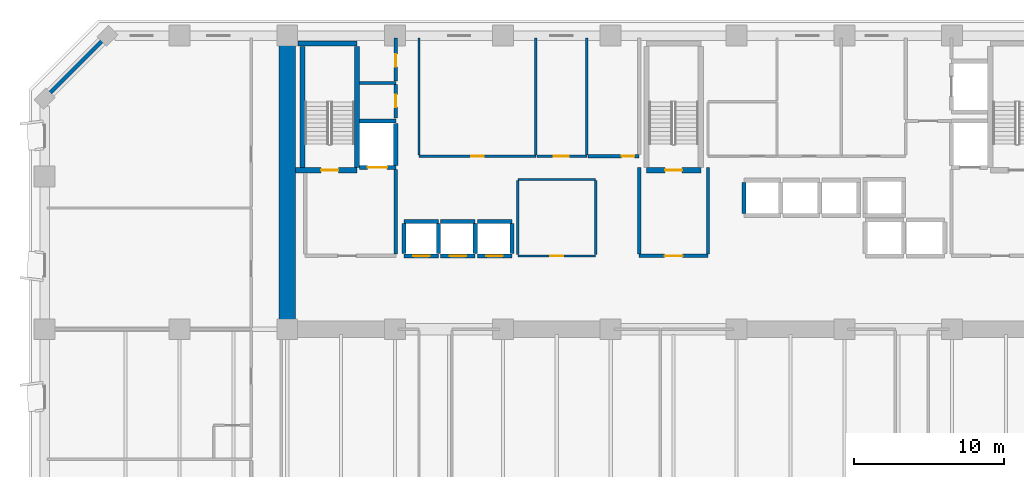
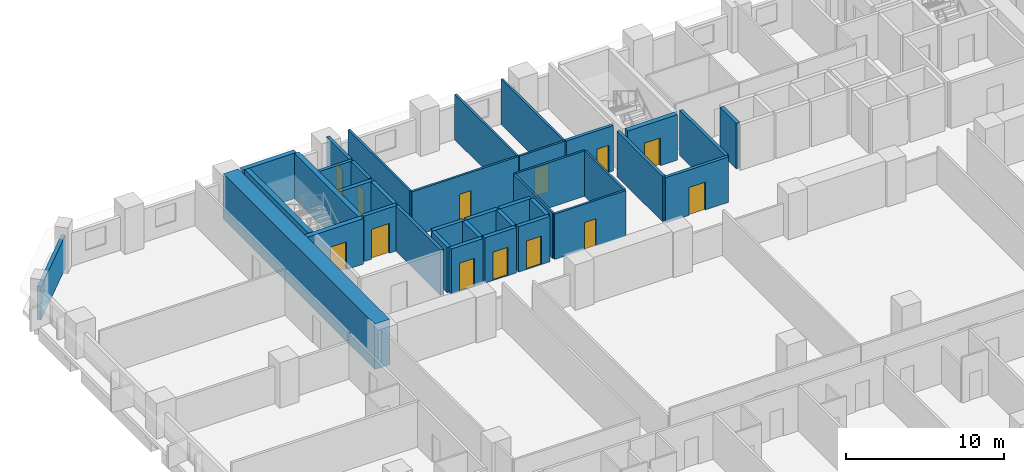
# One storey, part 7 of 15: 38 walls, 13 doors, 13 openings.
"""IFC4 building model written with IfcOpenShell, lengths in metres."""

from ifc_helpers import new_model, si_unit, direction, frame, frame_2d, origin, place, context, subcontext, project, spatial, rectangle, extrude, material, layer, layer_set, type_object, element, fill, save


model = new_model("IFC4")

# Units and contexts
model_context = context("Model", 3, precision=1e-05, world=origin(), true_north=direction((0.0, 1.0)))
body_context = subcontext(model_context, "Body", "Model", "MODEL_VIEW")
ifc_project = project(units=[si_unit("LENGTHUNIT", "METRE"), si_unit("AREAUNIT", "SQUARE_METRE"), si_unit("VOLUMEUNIT", "CUBIC_METRE"), si_unit("PLANEANGLEUNIT", "RADIAN"), si_unit("MASSUNIT", "GRAM", prefix="KILO")], contexts=[model_context])

# Site, building, storey
site_placement = place(None, origin())
site = spatial("IfcSite", under=ifc_project, at=site_placement, CompositionType="ELEMENT")
building_placement = place(site_placement, origin())
building = spatial("IfcBuilding", under=site, at=building_placement, Name="Kaelvorn Grand Hotel", CompositionType="ELEMENT")
storey_placement = place(building_placement, frame((0.0, 0.0, 46.39990234375)))
storey = spatial("IfcBuildingStorey", under=building, at=storey_placement, Name="L09", CompositionType="ELEMENT", Elevation=46.39990234375)

# Walls
ifc_material_1 = material(Name="Concrete C80/95", Category="concrete")
ifc_layer_1 = layer(ifc_material_1, 1.10009765625)
ifc_layer_set_1 = layer_set([ifc_layer_1], Name="Concrete C80/95")
wall_type_1 = type_object("IfcWallType", Name="WL-CORE-1100-C80", PredefinedType="SHEAR", material=ifc_layer_set_1)
wall_1_placement = place(storey_placement, frame((16.199951171875, 29.39990234375, 0.0), z_axis=(0.0, 0.0, 1.0), x_axis=(0.0, 1.0, 0.0)))
element("IfcWall", 1, at=wall_1_placement, inside=storey, type_object=wall_type_1, Name="L09 Rear-Core West Shear Wall", PredefinedType="SHEAR", context=body_context, shape_type="SweptSolid", body=[
    extrude(rectangle(XDim=19.2001953125, YDim=1.10009765625, at=frame_2d((9.60009765625, 0.0))), origin(), (0.0, 0.0, 1.0), 3.510009765625),
])
ifc_material_2 = material(Name="Concrete C40/50", Category="concrete")
ifc_layer_2 = layer(ifc_material_2, 0.260009765625)
ifc_layer_set_2 = layer_set([ifc_layer_2], Name="Concrete C40/50")
wall_type_2 = type_object("IfcWallType", Name="WL-EXT-260-C40", PredefinedType="SOLIDWALL", material=ifc_layer_set_2)
wall_2_placement = place(storey_placement, frame((4.199951171875, 49.0, 0.0), z_axis=(0.0, 0.0, 1.0), x_axis=(-0.707106781187, -0.707106781187, 0.0)))
element("IfcWall", 2, at=wall_2_placement, inside=storey, type_object=wall_type_2, Name="L09 Exterior Architectural Concrete Wall 06", PredefinedType="SOLIDWALL", context=body_context, shape_type="SweptSolid", body=[
    extrude(rectangle(XDim=5.939697265625, YDim=0.260009765625, at=frame_2d((2.9697265625, 0.0))), origin(), (0.0, 0.0, 1.0), 2.56005859375),
])

# Wall, opening, door
ifc_material_3 = material(Name="Acoustic Gypsum & Stud Partition")
ifc_layer_3 = layer(ifc_material_3, 0.14990234375)
ifc_layer_set_3 = layer_set([ifc_layer_3], Name="Acoustic Gypsum & Stud Partition")
wall_type_3 = type_object("IfcWallType", Name="WL-PART-150-EI60", PredefinedType="PARTITIONING", material=ifc_layer_set_3)
wall_3_placement = place(storey_placement, frame((31.60009765625, 34.300048828125, 0.0), z_axis=(0.0, 0.0, 1.0), x_axis=(1.0, 0.0, 0.0)))
wall_3 = element("IfcWall", 3, at=wall_3_placement, inside=storey, type_object=wall_type_3, Name="L09 Core Telecoms & BMS Server Room S Partition", PredefinedType="PARTITIONING", context=body_context, shape_type="SweptSolid", body=[
    extrude(rectangle(XDim=5.199951171875, YDim=0.14990234375, at=frame_2d((2.60009765625, 0.0))), origin(), (0.0, 0.0, 1.0), 3.510009765625),
])
opening_1_placement = place(wall_3_placement, frame((2.175048828125, 0.0, 0.0)))
opening_1 = element("IfcOpeningElement", 4, at=opening_1_placement, cuts=wall_3, Name="Opening DI7", PredefinedType="OPENING", context=body_context, shape_type="SweptSolid", body=[
    extrude(rectangle(XDim=0.85009765625, YDim=2.10009765625, at=frame_2d((0.425048828125, 1.050048828125))), frame((0.0, 0.0849609375, 0.0), z_axis=(0.0, -1.0, 0.0), x_axis=(1.0, 0.0, 0.0)), (0.0, 0.0, 1.0), 0.169921875),
])
ifc_material_4 = material(Name="Powder-Coated Steel Leaf", Category="steel")
door_type_1 = type_object("IfcDoorType", Name="DR-INT-RISER-850x2100", OperationType="NOTDEFINED", PredefinedType="DOOR", material=ifc_material_4)
door_1_placement = place(opening_1_placement, origin())
door_1 = element("IfcDoor", 5, at=door_1_placement, inside=storey, type_object=door_type_1, Name="L09 Core Telecoms & BMS Server Room Door", OperationType="SINGLE_SWING_RIGHT", OverallHeight=2.10009765625, OverallWidth=0.85009765625, PredefinedType="DOOR", context=body_context, shape_type="SweptSolid", body=[
    extrude(rectangle(XDim=0.85009765625, YDim=2.10009765625, at=frame_2d((0.425048828125, 1.050048828125))), frame((0.0, 0.02490234375, 0.0), z_axis=(0.0, -1.0, 0.0), x_axis=(1.0, 0.0, 0.0)), (0.0, 0.0, 1.0), 0.050048828125),
])
fill(opening_1, door_1)

# Walls
wall_4_placement = place(storey_placement, frame((31.60009765625, 39.39990234375, 0.0), z_axis=(0.0, 0.0, 1.0), x_axis=(1.0, 0.0, 0.0)))
element("IfcWall", 6, at=wall_4_placement, inside=storey, type_object=wall_type_3, Name="L09 Core Telecoms & BMS Server Room N Partition", PredefinedType="PARTITIONING", context=body_context, shape_type="SweptSolid", body=[
    extrude(rectangle(XDim=5.199951171875, YDim=0.14990234375, at=frame_2d((2.60009765625, 0.0))), origin(), (0.0, 0.0, 1.0), 3.510009765625),
])
for number, where, z_axis, x_axis, name in (
    (7, (31.60009765625, 34.3798828125, 0.0), (0.0, 0.0, 1.0), (0.0, 1.0, 0.0), "L09 Core Telecoms & BMS Server Room W Partition"),
    (8, (36.800048828125, 34.3798828125, 0.0), (0.0, 0.0, 1.0), (0.0, 1.0, 0.0), "L09 Core Telecoms & BMS Server Room E Partition"),
):
    element("IfcWall", number, at=place(storey_placement, frame(where, z_axis=z_axis, x_axis=x_axis)), inside=storey, type_object=wall_type_3, Name=name, PredefinedType="PARTITIONING", context=body_context, shape_type="SweptSolid", body=[
        extrude(rectangle(XDim=4.940185546875, YDim=0.14990234375, at=frame_2d((2.47021484375, 0.0))), origin(), (0.0, 0.0, 1.0), 3.510009765625),
    ])

# Wall, opening, door
wall_5_placement = place(storey_placement, frame((25.0, 40.949951171875, 0.0), z_axis=(0.0, 0.0, 1.0), x_axis=(1.0, 0.0, 0.0)))
wall_5 = element("IfcWall", 9, at=wall_5_placement, inside=storey, type_object=wall_type_3, Name="L09 Housekeeping & Linen Room S Partition", PredefinedType="PARTITIONING", context=body_context, shape_type="SweptSolid", body=[
    extrude(rectangle(XDim=7.800048828125, YDim=0.14990234375, at=frame_2d((3.89990234375, 0.0))), origin(), (0.0, 0.0, 1.0), 3.510009765625),
])
opening_2_placement = place(wall_5_placement, frame((3.47509765625, 0.0, 0.0)))
opening_2 = element("IfcOpeningElement", 10, at=opening_2_placement, cuts=wall_5, Name="Opening DI7", PredefinedType="OPENING", context=body_context, shape_type="SweptSolid", body=[
    extrude(rectangle(XDim=0.85009765625, YDim=2.10009765625, at=frame_2d((0.425048828125, 1.050048828125))), frame((0.0, 0.0849609375, 0.0), z_axis=(0.0, -1.0, 0.0), x_axis=(1.0, 0.0, 0.0)), (0.0, 0.0, 1.0), 0.169921875),
])
door_2_placement = place(opening_2_placement, origin())
door_2 = element("IfcDoor", 11, at=door_2_placement, inside=storey, type_object=door_type_1, Name="L09 Housekeeping & Linen Room Door", OperationType="SINGLE_SWING_LEFT", OverallHeight=2.10009765625, OverallWidth=0.85009765625, PredefinedType="DOOR", context=body_context, shape_type="SweptSolid", body=[
    extrude(rectangle(XDim=0.85009765625, YDim=2.10009765625, at=frame_2d((0.425048828125, 1.050048828125))), frame((0.0, 0.02490234375, 0.0), z_axis=(0.0, -1.0, 0.0), x_axis=(1.0, 0.0, 0.0)), (0.0, 0.0, 1.0), 0.050048828125),
])
fill(opening_2, door_2)

# Walls
for number, where, z_axis, x_axis, name in (
    (12, (25.0, 41.030029296875, 0.0), (0.0, 0.0, 1.0), (0.0, 1.0, 0.0), "L09 Housekeeping & Linen Room W Partition"),
    (13, (32.800048828125, 41.030029296875, 0.0), (0.0, 0.0, 1.0), (0.0, 1.0, 0.0), "L09 Housekeeping & Linen Room E Partition"),
):
    element("IfcWall", number, at=place(storey_placement, frame(where, z_axis=z_axis, x_axis=x_axis)), inside=storey, type_object=wall_type_3, Name=name, PredefinedType="PARTITIONING", context=body_context, shape_type="SweptSolid", body=[
        extrude(rectangle(XDim=7.820068359375, YDim=0.14990234375, at=frame_2d((3.91015625, 0.0))), origin(), (0.0, 0.0, 1.0), 3.510009765625),
    ])

# Wall, opening, door
wall_6_placement = place(storey_placement, frame((32.8798828125, 40.949951171875, 0.0), z_axis=(0.0, 0.0, 1.0), x_axis=(1.0, 0.0, 0.0)))
wall_6 = element("IfcWall", 14, at=wall_6_placement, inside=storey, type_object=wall_type_3, Name="L09 Floor Butler Tea Point S Partition", PredefinedType="PARTITIONING", context=body_context, shape_type="SweptSolid", body=[
    extrude(rectangle(XDim=3.320068359375, YDim=0.14990234375, at=frame_2d((1.66015625, 0.0))), origin(), (0.0, 0.0, 1.0), 3.510009765625),
])
opening_3_placement = place(wall_6_placement, frame((1.1201171875, 0.0, 0.0)))
opening_3 = element("IfcOpeningElement", 15, at=opening_3_placement, cuts=wall_6, Name="Opening DI3", PredefinedType="OPENING", context=body_context, shape_type="SweptSolid", body=[
    extrude(rectangle(XDim=1.0, YDim=2.14990234375, at=frame_2d((0.5, 1.074951171875))), frame((0.0, 0.0849609375, 0.0), z_axis=(0.0, -1.0, 0.0), x_axis=(1.0, 0.0, 0.0)), (0.0, 0.0, 1.0), 0.169921875),
])
ifc_material_5 = material(Name="Timber Veneer Fire Leaf", Category="wood")
door_type_2 = type_object("IfcDoorType", Name="DR-INT-GUEST-1000x2150", OperationType="NOTDEFINED", PredefinedType="DOOR", material=ifc_material_5)
door_3_placement = place(opening_3_placement, origin())
door_3 = element("IfcDoor", 16, at=door_3_placement, inside=storey, type_object=door_type_2, Name="L09 Floor Butler Tea Point Door", OperationType="SINGLE_SWING_RIGHT", OverallHeight=2.14990234375, OverallWidth=1.0, PredefinedType="DOOR", context=body_context, shape_type="SweptSolid", body=[
    extrude(rectangle(XDim=1.0, YDim=2.14990234375, at=frame_2d((0.5, 1.074951171875))), frame((0.0, 0.02490234375, 0.0), z_axis=(0.0, -1.0, 0.0), x_axis=(1.0, 0.0, 0.0)), (0.0, 0.0, 1.0), 0.050048828125),
])
fill(opening_3, door_3)

# Walls
wall_7_placement = place(storey_placement, frame((36.199951171875, 41.030029296875, 0.0), z_axis=(0.0, 0.0, 1.0), x_axis=(0.0, 1.0, 0.0)))
element("IfcWall", 17, at=wall_7_placement, inside=storey, type_object=wall_type_3, Name="L09 Floor Butler Tea Point E Partition", PredefinedType="PARTITIONING", context=body_context, shape_type="SweptSolid", body=[
    extrude(rectangle(XDim=7.820068359375, YDim=0.14990234375, at=frame_2d((3.91015625, 0.0))), origin(), (0.0, 0.0, 1.0), 3.510009765625),
])
ifc_layer_4 = layer(ifc_material_2, 0.219970703125)
ifc_layer_set_4 = layer_set([ifc_layer_4], Name="Concrete C40/50")
wall_type_4 = type_object("IfcWallType", Name="WL-PART-220-EI120", PredefinedType="PARTITIONING", material=ifc_layer_set_4)
wall_8_placement = place(storey_placement, frame((23.449951171875, 34.4150390625, 0.0), z_axis=(0.0, 0.0, 1.0), x_axis=(0.0, 1.0, 0.0)))
element("IfcWall", 18, at=wall_8_placement, inside=storey, type_object=wall_type_4, Name="L09 Firefighting Lift Lobby 1 E Partition", PredefinedType="PARTITIONING", context=body_context, shape_type="SweptSolid", body=[
    extrude(rectangle(XDim=5.639892578125, YDim=0.219970703125, at=frame_2d((2.81982421875, 0.0))), origin(), (0.0, 0.0, 1.0), 3.510009765625),
])

# Wall, opening, door
wall_9_placement = place(storey_placement, frame((39.699951171875, 34.300048828125, 0.0), z_axis=(0.0, 0.0, 1.0), x_axis=(1.0, 0.0, 0.0)))
wall_9 = element("IfcWall", 19, at=wall_9_placement, inside=storey, type_object=wall_type_4, Name="L09 Central Stair Escape Vestibule S Partition", PredefinedType="PARTITIONING", context=body_context, shape_type="SweptSolid", body=[
    extrude(rectangle(XDim=4.60009765625, YDim=0.219970703125, at=frame_2d((2.300048828125, 0.0))), origin(), (0.0, 0.0, 1.0), 3.510009765625),
])
opening_4_placement = place(wall_9_placement, frame((1.699951171875, 0.0, 0.0)))
opening_4 = element("IfcOpeningElement", 20, at=opening_4_placement, cuts=wall_9, Name="Opening DI2", PredefinedType="OPENING", context=body_context, shape_type="SweptSolid", body=[
    extrude(rectangle(XDim=1.199951171875, YDim=2.14990234375, at=frame_2d((0.60009765625, 1.074951171875))), frame((0.0, 0.1201171875, 0.0), z_axis=(0.0, -1.0, 0.0), x_axis=(1.0, 0.0, 0.0)), (0.0, 0.0, 1.0), 0.239990234375),
])
door_type_3 = type_object("IfcDoorType", Name="DR-INT-FFLOB-1200x2150", OperationType="NOTDEFINED", PredefinedType="DOOR", material=ifc_material_5)
door_4_placement = place(opening_4_placement, origin())
door_4 = element("IfcDoor", 21, at=door_4_placement, inside=storey, type_object=door_type_3, Name="L09 Central Stair Escape Vestibule Door", OperationType="SINGLE_SWING_RIGHT", OverallHeight=2.14990234375, OverallWidth=1.199951171875, PredefinedType="DOOR", context=body_context, shape_type="SweptSolid", body=[
    extrude(rectangle(XDim=1.199951171875, YDim=2.14990234375, at=frame_2d((0.60009765625, 1.074951171875))), frame((0.0, 0.02490234375, 0.0), z_axis=(0.0, -1.0, 0.0), x_axis=(1.0, 0.0, 0.0)), (0.0, 0.0, 1.0), 0.050048828125),
])
fill(opening_4, door_4)

# Walls
for number, where, z_axis, x_axis, name in (
    (22, (39.699951171875, 34.4150390625, 0.0), (0.0, 0.0, 1.0), (0.0, 1.0, 0.0), "L09 Central Stair Escape Vestibule W Partition"),
    (23, (44.300048828125, 34.4150390625, 0.0), (0.0, 0.0, 1.0), (0.0, 1.0, 0.0), "L09 Central Stair Escape Vestibule E Partition"),
):
    element("IfcWall", number, at=place(storey_placement, frame(where, z_axis=z_axis, x_axis=x_axis)), inside=storey, type_object=wall_type_4, Name=name, PredefinedType="PARTITIONING", context=body_context, shape_type="SweptSolid", body=[
        extrude(rectangle(XDim=5.784912109375, YDim=0.219970703125, at=frame_2d((2.892578125, 0.0))), origin(), (0.0, 0.0, 1.0), 3.510009765625),
    ])
wall_10_placement = place(storey_placement, frame((21.034912109375, 45.85009765625, 0.0), z_axis=(0.0, 0.0, 1.0), x_axis=(1.0, 0.0, 0.0)))
element("IfcWall", 24, at=wall_10_placement, inside=storey, type_object=wall_type_4, Name="L09 Wet Fire & Plumbing Riser Shaft N Partition", PredefinedType="PARTITIONING", context=body_context, shape_type="SweptSolid", body=[
    extrude(rectangle(XDim=2.4150390625, YDim=0.219970703125, at=frame_2d((1.20751953125, 0.0))), origin(), (0.0, 0.0, 1.0), 3.510009765625),
])

# Wall, opening, door
wall_11_placement = place(storey_placement, frame((23.449951171875, 43.5, 0.0), z_axis=(0.0, 0.0, 1.0), x_axis=(0.0, 1.0, 0.0)))
wall_11 = element("IfcWall", 25, at=wall_11_placement, inside=storey, type_object=wall_type_4, Name="L09 Wet Fire & Plumbing Riser Shaft E Partition", PredefinedType="PARTITIONING", context=body_context, shape_type="SweptSolid", body=[
    extrude(rectangle(XDim=2.235107421875, YDim=0.219970703125, at=frame_2d((1.11767578125, 0.0))), origin(), (0.0, 0.0, 1.0), 3.510009765625),
])
opening_5_placement = place(wall_11_placement, frame((0.72509765625, 0.0, 0.0)))
opening_5 = element("IfcOpeningElement", 26, at=opening_5_placement, cuts=wall_11, Name="Opening DI7", PredefinedType="OPENING", context=body_context, shape_type="SweptSolid", body=[
    extrude(rectangle(XDim=0.85009765625, YDim=2.10009765625, at=frame_2d((0.425048828125, 1.050048828125))), frame((0.0, 0.1201171875, 0.0), z_axis=(0.0, -1.0, 0.0), x_axis=(1.0, 0.0, 0.0)), (0.0, 0.0, 1.0), 0.239990234375),
])
door_5_placement = place(opening_5_placement, origin())
door_5 = element("IfcDoor", 27, at=door_5_placement, inside=storey, type_object=door_type_1, Name="L09 Wet Fire & Plumbing Riser Shaft Door", OperationType="SINGLE_SWING_RIGHT", OverallHeight=2.10009765625, OverallWidth=0.85009765625, PredefinedType="DOOR", context=body_context, shape_type="SweptSolid", body=[
    extrude(rectangle(XDim=0.85009765625, YDim=2.10009765625, at=frame_2d((0.425048828125, 1.050048828125))), frame((0.0, 0.02490234375, 0.0), z_axis=(0.0, -1.0, 0.0), x_axis=(1.0, 0.0, 0.0)), (0.0, 0.0, 1.0), 0.050048828125),
])
fill(opening_5, door_5)

wall_12_placement = place(storey_placement, frame((23.449951171875, 45.965087890625, 0.0), z_axis=(0.0, 0.0, 1.0), x_axis=(0.0, 1.0, 0.0)))
wall_12 = element("IfcWall", 28, at=wall_12_placement, inside=storey, type_object=wall_type_4, Name="L09 HV Electrical & Smoke Riser E Partition", PredefinedType="PARTITIONING", context=body_context, shape_type="SweptSolid", body=[
    extrude(rectangle(XDim=2.885009765625, YDim=0.219970703125, at=frame_2d((1.4423828125, 0.0))), origin(), (0.0, 0.0, 1.0), 3.510009765625),
])
opening_6_placement = place(wall_12_placement, frame((0.9599609375, 0.0, 0.0)))
opening_6 = element("IfcOpeningElement", 29, at=opening_6_placement, cuts=wall_12, Name="Opening DI7", PredefinedType="OPENING", context=body_context, shape_type="SweptSolid", body=[
    extrude(rectangle(XDim=0.85009765625, YDim=2.10009765625, at=frame_2d((0.425048828125, 1.050048828125))), frame((0.0, 0.1201171875, 0.0), z_axis=(0.0, -1.0, 0.0), x_axis=(1.0, 0.0, 0.0)), (0.0, 0.0, 1.0), 0.239990234375),
])
door_6_placement = place(opening_6_placement, origin())
door_6 = element("IfcDoor", 30, at=door_6_placement, inside=storey, type_object=door_type_1, Name="L09 HV Electrical & Smoke Riser Door", OperationType="SINGLE_SWING_LEFT", OverallHeight=2.10009765625, OverallWidth=0.85009765625, PredefinedType="DOOR", context=body_context, shape_type="SweptSolid", body=[
    extrude(rectangle(XDim=0.85009765625, YDim=2.10009765625, at=frame_2d((0.425048828125, 1.050048828125))), frame((0.0, 0.02490234375, 0.0), z_axis=(0.0, -1.0, 0.0), x_axis=(1.0, 0.0, 0.0)), (0.0, 0.0, 1.0), 0.050048828125),
])
fill(opening_6, door_6)

wall_13_placement = place(storey_placement, frame((36.280029296875, 40.949951171875, 0.0), z_axis=(0.0, 0.0, 1.0), x_axis=(1.0, 0.0, 0.0)))
wall_13 = element("IfcWall", 31, at=wall_13_placement, inside=storey, type_object=wall_type_4, Name="L09 LV Electrical & Metering Room S Partition", PredefinedType="PARTITIONING", context=body_context, shape_type="SweptSolid", body=[
    extrude(rectangle(XDim=3.419921875, YDim=0.219970703125, at=frame_2d((1.7099609375, 0.0))), origin(), (0.0, 0.0, 1.0), 3.510009765625),
])
opening_7_placement = place(wall_13_placement, frame((2.2451171875, 0.0, 0.0)))
opening_7 = element("IfcOpeningElement", 32, at=opening_7_placement, cuts=wall_13, Name="Opening DI7", PredefinedType="OPENING", context=body_context, shape_type="SweptSolid", body=[
    extrude(rectangle(XDim=0.85009765625, YDim=2.10009765625, at=frame_2d((0.425048828125, 1.050048828125))), frame((0.0, 0.1201171875, 0.0), z_axis=(0.0, -1.0, 0.0), x_axis=(1.0, 0.0, 0.0)), (0.0, 0.0, 1.0), 0.239990234375),
])
door_7_placement = place(opening_7_placement, origin())
door_7 = element("IfcDoor", 33, at=door_7_placement, inside=storey, type_object=door_type_1, Name="L09 LV Electrical & Metering Room Door", OperationType="SINGLE_SWING_LEFT", OverallHeight=2.10009765625, OverallWidth=0.85009765625, PredefinedType="DOOR", context=body_context, shape_type="SweptSolid", body=[
    extrude(rectangle(XDim=0.85009765625, YDim=2.10009765625, at=frame_2d((0.425048828125, 1.050048828125))), frame((0.0, 0.02490234375, 0.0), z_axis=(0.0, -1.0, 0.0), x_axis=(1.0, 0.0, 0.0)), (0.0, 0.0, 1.0), 0.050048828125),
])
fill(opening_7, door_7)

ifc_material_6 = material(Name="Concrete C50/60", Category="concrete")
ifc_layer_5 = layer(ifc_material_6, 0.280029296875)
ifc_layer_set_5 = layer_set([ifc_layer_5], Name="Concrete C50/60")
wall_type_5 = type_object("IfcWallType", Name="WL-SHAFT-280-C50", PredefinedType="SHEAR", material=ifc_layer_set_5)
wall_14_placement = place(storey_placement, frame((24.0, 34.300048828125, 0.0), z_axis=(0.0, 0.0, 1.0), x_axis=(1.0, 0.0, 0.0)))
wall_14 = element("IfcWall", 34, at=wall_14_placement, inside=storey, type_object=wall_type_5, Name="L09 Lift PL-L1 Shaft South Wall", PredefinedType="SHEAR", context=body_context, shape_type="SweptSolid", body=[
    extrude(rectangle(XDim=2.300048828125, YDim=0.280029296875, at=frame_2d((1.14990234375, 0.0))), origin(), (0.0, 0.0, 1.0), 3.510009765625),
])
opening_8_placement = place(wall_14_placement, frame((0.60009765625, 0.0, 0.0)))
opening_8 = element("IfcOpeningElement", 35, at=opening_8_placement, cuts=wall_14, Name="Opening LD-PL-L1", PredefinedType="OPENING", context=body_context, shape_type="SweptSolid", body=[
    extrude(rectangle(XDim=1.10009765625, YDim=2.199951171875, at=frame_2d((0.550048828125, 1.10009765625))), frame((0.0, 0.14990234375, 0.0), z_axis=(0.0, -1.0, 0.0), x_axis=(1.0, 0.0, 0.0)), (0.0, 0.0, 1.0), 0.300048828125),
])
ifc_material_7 = material(Name="Stainless Steel", Category="steel")
door_type_4 = type_object("IfcDoorType", Name="DR-LIFT-PASS-1100x2200", OperationType="DOUBLE_DOOR_SLIDING", PredefinedType="DOOR", material=ifc_material_7)
door_8_placement = place(opening_8_placement, origin())
door_8 = element("IfcDoor", 36, at=door_8_placement, inside=storey, type_object=door_type_4, Name="L09 Lift PL-L1 Sliding Landing Door LD-PL-L1", OperationType="DOUBLE_DOOR_SLIDING", OverallHeight=2.199951171875, OverallWidth=1.10009765625, PredefinedType="DOOR", context=body_context, shape_type="SweptSolid", body=[
    extrude(rectangle(XDim=1.10009765625, YDim=2.199951171875, at=frame_2d((0.550048828125, 1.10009765625))), frame((0.0, 0.02490234375, 0.0), z_axis=(0.0, -1.0, 0.0), x_axis=(1.0, 0.0, 0.0)), (0.0, 0.0, 1.0), 0.050048828125),
])
fill(opening_8, door_8)

# Walls
wall_15_placement = place(storey_placement, frame((24.0, 36.60009765625, 0.0), z_axis=(0.0, 0.0, 1.0), x_axis=(1.0, 0.0, 0.0)))
element("IfcWall", 37, at=wall_15_placement, inside=storey, type_object=wall_type_5, Name="L09 Lift PL-L1 Shaft North Wall", PredefinedType="SHEAR", context=body_context, shape_type="SweptSolid", body=[
    extrude(rectangle(XDim=2.300048828125, YDim=0.280029296875, at=frame_2d((1.14990234375, 0.0))), origin(), (0.0, 0.0, 1.0), 3.510009765625),
])
for number, where, z_axis, x_axis, name in (
    (38, (24.0, 34.445068359375, 0.0), (0.0, 0.0, 1.0), (0.0, 1.0, 0.0), "L09 Lift PL-L1 Shaft West Wall"),
    (39, (26.300048828125, 34.445068359375, 0.0), (0.0, 0.0, 1.0), (0.0, 1.0, 0.0), "L09 Lift PL-L1 Shaft East Wall"),
):
    element("IfcWall", number, at=place(storey_placement, frame(where, z_axis=z_axis, x_axis=x_axis)), inside=storey, type_object=wall_type_5, Name=name, PredefinedType="SHEAR", context=body_context, shape_type="SweptSolid", body=[
        extrude(rectangle(XDim=2.010009765625, YDim=0.280029296875, at=frame_2d((1.0048828125, 0.0))), origin(), (0.0, 0.0, 1.0), 3.510009765625),
    ])

# Wall, opening, door
wall_16_placement = place(storey_placement, frame((26.449951171875, 34.300048828125, 0.0), z_axis=(0.0, 0.0, 1.0), x_axis=(1.0, 0.0, 0.0)))
wall_16 = element("IfcWall", 40, at=wall_16_placement, inside=storey, type_object=wall_type_5, Name="L09 Lift PL-L2 Shaft South Wall", PredefinedType="SHEAR", context=body_context, shape_type="SweptSolid", body=[
    extrude(rectangle(XDim=2.300048828125, YDim=0.280029296875, at=frame_2d((1.14990234375, 0.0))), origin(), (0.0, 0.0, 1.0), 3.510009765625),
])
opening_9_placement = place(wall_16_placement, frame((0.60009765625, 0.0, 0.0)))
opening_9 = element("IfcOpeningElement", 41, at=opening_9_placement, cuts=wall_16, Name="Opening LD-PL-L2", PredefinedType="OPENING", context=body_context, shape_type="SweptSolid", body=[
    extrude(rectangle(XDim=1.10009765625, YDim=2.199951171875, at=frame_2d((0.550048828125, 1.10009765625))), frame((0.0, 0.14990234375, 0.0), z_axis=(0.0, -1.0, 0.0), x_axis=(1.0, 0.0, 0.0)), (0.0, 0.0, 1.0), 0.300048828125),
])
door_9_placement = place(opening_9_placement, origin())
door_9 = element("IfcDoor", 42, at=door_9_placement, inside=storey, type_object=door_type_4, Name="L09 Lift PL-L2 Sliding Landing Door LD-PL-L2", OperationType="DOUBLE_DOOR_SLIDING", OverallHeight=2.199951171875, OverallWidth=1.10009765625, PredefinedType="DOOR", context=body_context, shape_type="SweptSolid", body=[
    extrude(rectangle(XDim=1.10009765625, YDim=2.199951171875, at=frame_2d((0.550048828125, 1.10009765625))), frame((0.0, 0.02490234375, 0.0), z_axis=(0.0, -1.0, 0.0), x_axis=(1.0, 0.0, 0.0)), (0.0, 0.0, 1.0), 0.050048828125),
])
fill(opening_9, door_9)

# Walls
wall_17_placement = place(storey_placement, frame((26.449951171875, 36.60009765625, 0.0), z_axis=(0.0, 0.0, 1.0), x_axis=(1.0, 0.0, 0.0)))
element("IfcWall", 43, at=wall_17_placement, inside=storey, type_object=wall_type_5, Name="L09 Lift PL-L2 Shaft North Wall", PredefinedType="SHEAR", context=body_context, shape_type="SweptSolid", body=[
    extrude(rectangle(XDim=2.300048828125, YDim=0.280029296875, at=frame_2d((1.14990234375, 0.0))), origin(), (0.0, 0.0, 1.0), 3.510009765625),
])
wall_18_placement = place(storey_placement, frame((28.75, 34.445068359375, 0.0), z_axis=(0.0, 0.0, 1.0), x_axis=(0.0, 1.0, 0.0)))
element("IfcWall", 44, at=wall_18_placement, inside=storey, type_object=wall_type_5, Name="L09 Lift PL-L2 Shaft East Wall", PredefinedType="SHEAR", context=body_context, shape_type="SweptSolid", body=[
    extrude(rectangle(XDim=2.010009765625, YDim=0.280029296875, at=frame_2d((1.0048828125, 0.0))), origin(), (0.0, 0.0, 1.0), 3.510009765625),
])

# Wall, opening, door
wall_19_placement = place(storey_placement, frame((28.89990234375, 34.300048828125, 0.0), z_axis=(0.0, 0.0, 1.0), x_axis=(1.0, 0.0, 0.0)))
wall_19 = element("IfcWall", 45, at=wall_19_placement, inside=storey, type_object=wall_type_5, Name="L09 Lift PL-L3 Shaft South Wall", PredefinedType="SHEAR", context=body_context, shape_type="SweptSolid", body=[
    extrude(rectangle(XDim=2.300048828125, YDim=0.280029296875, at=frame_2d((1.14990234375, 0.0))), origin(), (0.0, 0.0, 1.0), 3.510009765625),
])
opening_10_placement = place(wall_19_placement, frame((0.60009765625, 0.0, 0.0)))
opening_10 = element("IfcOpeningElement", 46, at=opening_10_placement, cuts=wall_19, Name="Opening LD-PL-L3", PredefinedType="OPENING", context=body_context, shape_type="SweptSolid", body=[
    extrude(rectangle(XDim=1.10009765625, YDim=2.199951171875, at=frame_2d((0.550048828125, 1.10009765625))), frame((0.0, 0.14990234375, 0.0), z_axis=(0.0, -1.0, 0.0), x_axis=(1.0, 0.0, 0.0)), (0.0, 0.0, 1.0), 0.300048828125),
])
door_10_placement = place(opening_10_placement, origin())
door_10 = element("IfcDoor", 47, at=door_10_placement, inside=storey, type_object=door_type_4, Name="L09 Lift PL-L3 Sliding Landing Door LD-PL-L3", OperationType="DOUBLE_DOOR_SLIDING", OverallHeight=2.199951171875, OverallWidth=1.10009765625, PredefinedType="DOOR", context=body_context, shape_type="SweptSolid", body=[
    extrude(rectangle(XDim=1.10009765625, YDim=2.199951171875, at=frame_2d((0.550048828125, 1.10009765625))), frame((0.0, 0.02490234375, 0.0), z_axis=(0.0, -1.0, 0.0), x_axis=(1.0, 0.0, 0.0)), (0.0, 0.0, 1.0), 0.050048828125),
])
fill(opening_10, door_10)

# Walls
wall_20_placement = place(storey_placement, frame((28.89990234375, 36.60009765625, 0.0), z_axis=(0.0, 0.0, 1.0), x_axis=(1.0, 0.0, 0.0)))
element("IfcWall", 48, at=wall_20_placement, inside=storey, type_object=wall_type_5, Name="L09 Lift PL-L3 Shaft North Wall", PredefinedType="SHEAR", context=body_context, shape_type="SweptSolid", body=[
    extrude(rectangle(XDim=2.300048828125, YDim=0.280029296875, at=frame_2d((1.14990234375, 0.0))), origin(), (0.0, 0.0, 1.0), 3.510009765625),
])
wall_21_placement = place(storey_placement, frame((31.199951171875, 34.445068359375, 0.0), z_axis=(0.0, 0.0, 1.0), x_axis=(0.0, 1.0, 0.0)))
element("IfcWall", 49, at=wall_21_placement, inside=storey, type_object=wall_type_5, Name="L09 Lift PL-L3 Shaft East Wall", PredefinedType="SHEAR", context=body_context, shape_type="SweptSolid", body=[
    extrude(rectangle(XDim=2.010009765625, YDim=0.280029296875, at=frame_2d((1.0048828125, 0.0))), origin(), (0.0, 0.0, 1.0), 3.510009765625),
])
wall_22_placement = place(storey_placement, frame((46.699951171875, 37.14501953125, 0.0), z_axis=(0.0, 0.0, 1.0), x_axis=(0.0, 1.0, 0.0)))
element("IfcWall", 50, at=wall_22_placement, inside=storey, type_object=wall_type_5, Name="L09 Lift SL-1 Shaft West Wall", PredefinedType="SHEAR", context=body_context, shape_type="SweptSolid", body=[
    extrude(rectangle(XDim=2.06005859375, YDim=0.280029296875, at=frame_2d((1.030029296875, 0.0))), origin(), (0.0, 0.0, 1.0), 3.510009765625),
])

# Wall, opening, door
wall_23_placement = place(storey_placement, frame((21.034912109375, 40.199951171875, 0.0), z_axis=(0.0, 0.0, 1.0), x_axis=(1.0, 0.0, 0.0)))
wall_23 = element("IfcWall", 51, at=wall_23_placement, inside=storey, type_object=wall_type_5, Name="L09 Lift FFL1 Shaft South Wall", PredefinedType="SHEAR", context=body_context, shape_type="SweptSolid", body=[
    extrude(rectangle(XDim=2.4150390625, YDim=0.280029296875, at=frame_2d((1.20751953125, 0.0))), origin(), (0.0, 0.0, 1.0), 3.510009765625),
])
opening_11_placement = place(wall_23_placement, frame((0.5400390625, 0.0, 0.0)))
opening_11 = element("IfcOpeningElement", 52, at=opening_11_placement, cuts=wall_23, Name="Opening LD-FFL1", PredefinedType="OPENING", context=body_context, shape_type="SweptSolid", body=[
    extrude(rectangle(XDim=1.300048828125, YDim=2.300048828125, at=frame_2d((0.64990234375, 1.14990234375))), frame((0.0, 0.14990234375, 0.0), z_axis=(0.0, -1.0, 0.0), x_axis=(1.0, 0.0, 0.0)), (0.0, 0.0, 1.0), 0.300048828125),
])
door_type_5 = type_object("IfcDoorType", Name="DR-LIFT-SERV-1300x2300", OperationType="DOUBLE_DOOR_SLIDING", PredefinedType="DOOR", material=ifc_material_7)
door_11_placement = place(opening_11_placement, origin())
door_11 = element("IfcDoor", 53, at=door_11_placement, inside=storey, type_object=door_type_5, Name="L09 Lift FFL1 Sliding Landing Door LD-FFL1", OperationType="DOUBLE_DOOR_SLIDING", OverallHeight=2.300048828125, OverallWidth=1.300048828125, PredefinedType="DOOR", context=body_context, shape_type="SweptSolid", body=[
    extrude(rectangle(XDim=1.300048828125, YDim=2.300048828125, at=frame_2d((0.64990234375, 1.14990234375))), frame((0.0, 0.02490234375, 0.0), z_axis=(0.0, -1.0, 0.0), x_axis=(1.0, 0.0, 0.0)), (0.0, 0.0, 1.0), 0.050048828125),
])
fill(opening_11, door_11)

# Walls
wall_24_placement = place(storey_placement, frame((21.034912109375, 43.300048828125, 0.0), z_axis=(0.0, 0.0, 1.0), x_axis=(1.0, 0.0, 0.0)))
element("IfcWall", 54, at=wall_24_placement, inside=storey, type_object=wall_type_5, Name="L09 Lift FFL1 Shaft North Wall", PredefinedType="SHEAR", context=body_context, shape_type="SweptSolid", body=[
    extrude(rectangle(XDim=2.4150390625, YDim=0.280029296875, at=frame_2d((1.20751953125, 0.0))), origin(), (0.0, 0.0, 1.0), 3.510009765625),
])
wall_25_placement = place(storey_placement, frame((23.449951171875, 40.344970703125, 0.0), z_axis=(0.0, 0.0, 1.0), x_axis=(0.0, 1.0, 0.0)))
element("IfcWall", 55, at=wall_25_placement, inside=storey, type_object=wall_type_5, Name="L09 Lift FFL1 Shaft East Wall", PredefinedType="SHEAR", context=body_context, shape_type="SweptSolid", body=[
    extrude(rectangle(XDim=2.81005859375, YDim=0.280029296875, at=frame_2d((1.405029296875, 0.0))), origin(), (0.0, 0.0, 1.0), 3.510009765625),
])

# Wall, opening, door
ifc_material_8 = material(Name="Concrete C60/75", Category="concrete")
ifc_layer_6 = layer(ifc_material_8, 0.35009765625)
ifc_layer_set_6 = layer_set([ifc_layer_6], Name="Concrete C60/75")
wall_type_6 = type_object("IfcWallType", Name="WL-SHAFT-350-C60", PredefinedType="SHEAR", material=ifc_layer_set_6)
wall_26_placement = place(storey_placement, frame((16.7548828125, 40.02490234375, 0.0), z_axis=(0.0, 0.0, 1.0), x_axis=(1.0, 0.0, 0.0)))
wall_26 = element("IfcWall", 56, at=wall_26_placement, inside=storey, type_object=wall_type_6, Name="L09 ST1 Stair Shaft South Wall", PredefinedType="SHEAR", context=body_context, shape_type="SweptSolid", body=[
    extrude(rectangle(XDim=4.10009765625, YDim=0.35009765625, at=frame_2d((2.050048828125, 0.0))), origin(), (0.0, 0.0, 1.0), 3.510009765625),
])
opening_12_placement = place(wall_26_placement, frame((1.7099609375, 0.0, 0.0)))
opening_12 = element("IfcOpeningElement", 57, at=opening_12_placement, cuts=wall_26, Name="Opening DI1", PredefinedType="OPENING", context=body_context, shape_type="SweptSolid", body=[
    extrude(rectangle(XDim=1.14990234375, YDim=2.14990234375, at=frame_2d((0.574951171875, 1.074951171875))), frame((0.0, 0.18505859375, 0.0), z_axis=(0.0, -1.0, 0.0), x_axis=(1.0, 0.0, 0.0)), (0.0, 0.0, 1.0), 0.3701171875),
])
door_type_6 = type_object("IfcDoorType", Name="DR-INT-STAIR-1150x2150", OperationType="NOTDEFINED", PredefinedType="DOOR", material=ifc_material_5)
door_12_placement = place(opening_12_placement, origin())
door_12 = element("IfcDoor", 58, at=door_12_placement, inside=storey, type_object=door_type_6, Name="L09 ST1 Exit Stair Fire Door", OperationType="SINGLE_SWING_LEFT", OverallHeight=2.14990234375, OverallWidth=1.14990234375, PredefinedType="DOOR", context=body_context, shape_type="SweptSolid", body=[
    extrude(rectangle(XDim=1.14990234375, YDim=2.14990234375, at=frame_2d((0.574951171875, 1.074951171875))), frame((0.0, 0.02490234375, 0.0), z_axis=(0.0, -1.0, 0.0), x_axis=(1.0, 0.0, 0.0)), (0.0, 0.0, 1.0), 0.050048828125),
])
fill(opening_12, door_12)

# Walls
wall_27_placement = place(storey_placement, frame((16.905029296875, 48.47509765625, 0.0), z_axis=(0.0, 0.0, 1.0), x_axis=(1.0, 0.0, 0.0)))
element("IfcWall", 59, at=wall_27_placement, inside=storey, type_object=wall_type_6, Name="L09 ST1 Stair Shaft North Wall", PredefinedType="SHEAR", context=body_context, shape_type="SweptSolid", body=[
    extrude(rectangle(XDim=3.949951171875, YDim=0.35009765625, at=frame_2d((1.97509765625, 0.0))), origin(), (0.0, 0.0, 1.0), 3.510009765625),
])
for number, where, z_axis, x_axis, name in (
    (60, (17.22509765625, 40.205078125, 0.0), (0.0, 0.0, 1.0), (0.0, 1.0, 0.0), "L09 ST1 Stair Shaft West Wall"),
    (61, (20.85498046875, 40.205078125, 0.0), (0.0, 0.0, 1.0), (0.0, 1.0, 0.0), "L09 ST1 Stair Shaft East Wall"),
):
    element("IfcWall", number, at=place(storey_placement, frame(where, z_axis=z_axis, x_axis=x_axis)), inside=storey, type_object=wall_type_6, Name=name, PredefinedType="SHEAR", context=body_context, shape_type="SweptSolid", body=[
        extrude(rectangle(XDim=8.08984375, YDim=0.35009765625, at=frame_2d((4.044921875, 0.0))), origin(), (0.0, 0.0, 1.0), 3.510009765625),
    ])

# Wall, opening, door
wall_28_placement = place(storey_placement, frame((40.18505859375, 40.02490234375, 0.0), z_axis=(0.0, 0.0, 1.0), x_axis=(1.0, 0.0, 0.0)))
wall_28 = element("IfcWall", 62, at=wall_28_placement, inside=storey, type_object=wall_type_6, Name="L09 ST2 Stair Shaft South Wall", PredefinedType="SHEAR", context=body_context, shape_type="SweptSolid", body=[
    extrude(rectangle(XDim=3.6298828125, YDim=0.35009765625, at=frame_2d((1.81494140625, 0.0))), origin(), (0.0, 0.0, 1.0), 3.510009765625),
])
opening_13_placement = place(wall_28_placement, frame((1.239990234375, 0.0, 0.0)))
opening_13 = element("IfcOpeningElement", 63, at=opening_13_placement, cuts=wall_28, Name="Opening DI1", PredefinedType="OPENING", context=body_context, shape_type="SweptSolid", body=[
    extrude(rectangle(XDim=1.14990234375, YDim=2.14990234375, at=frame_2d((0.574951171875, 1.074951171875))), frame((0.0, 0.18505859375, 0.0), z_axis=(0.0, -1.0, 0.0), x_axis=(1.0, 0.0, 0.0)), (0.0, 0.0, 1.0), 0.3701171875),
])
door_13_placement = place(opening_13_placement, origin())
door_13 = element("IfcDoor", 64, at=door_13_placement, inside=storey, type_object=door_type_6, Name="L09 ST2 Exit Stair Fire Door", OperationType="SINGLE_SWING_RIGHT", OverallHeight=2.14990234375, OverallWidth=1.14990234375, PredefinedType="DOOR", context=body_context, shape_type="SweptSolid", body=[
    extrude(rectangle(XDim=1.14990234375, YDim=2.14990234375, at=frame_2d((0.574951171875, 1.074951171875))), frame((0.0, 0.02490234375, 0.0), z_axis=(0.0, -1.0, 0.0), x_axis=(1.0, 0.0, 0.0)), (0.0, 0.0, 1.0), 0.050048828125),
])
fill(opening_13, door_13)

save(model, "model.ifc")
